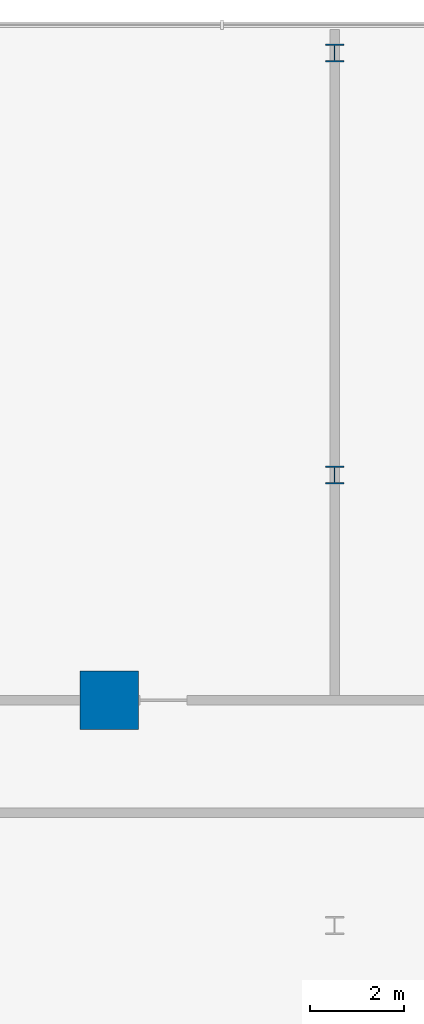
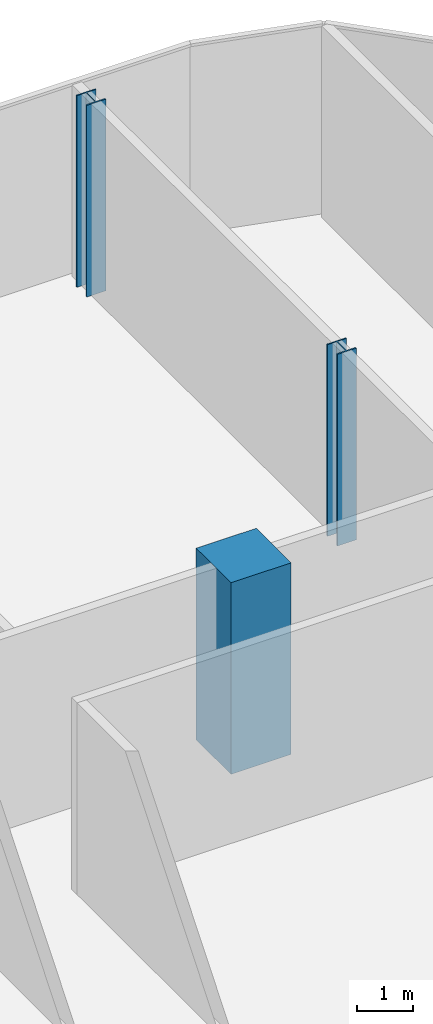
# One storey, part 5 of 38: 3 columns.
"""IFC4 building model written with IfcOpenShell, lengths in metres."""

from ifc_helpers import new_model, si_unit, direction, frame, origin, origin_2d, place, context, subcontext, project, spatial, rectangle, i_section, extrude, material, material_profile, profile_set, type_object, element, save


model = new_model("IFC4")

# Units and contexts
model_context = context("Model", 3, precision=1e-05, world=origin(), true_north=direction((0.0, 1.0)))
body_context = subcontext(model_context, "Body", "Model", "MODEL_VIEW")
ifc_project = project(units=[si_unit("LENGTHUNIT", "METRE"), si_unit("AREAUNIT", "SQUARE_METRE"), si_unit("VOLUMEUNIT", "CUBIC_METRE"), si_unit("PLANEANGLEUNIT", "RADIAN"), si_unit("MASSUNIT", "GRAM", prefix="KILO")], contexts=[model_context])

# Site, building, storey
site_placement = place(None, origin())
site = spatial("IfcSite", under=ifc_project, at=site_placement, CompositionType="ELEMENT")
building_placement = place(site_placement, origin())
building = spatial("IfcBuilding", under=site, at=building_placement, Name="Madar Terraces", CompositionType="ELEMENT")
storey_placement = place(building_placement, frame((0.0, 0.0, 15.0)))
storey = spatial("IfcBuildingStorey", under=building, at=storey_placement, Name="L03", CompositionType="ELEMENT", Elevation=15.0)

# Columns
ifc_material_1 = material(Name="Concrete C80/95", Category="concrete")
ifc_material_profile_1 = material_profile(ifc_material_1, rectangle(XDim=1.25, YDim=1.25, at=origin_2d()), Name="KC1 RC 1250x1250")
ifc_profile_set_1 = profile_set([ifc_material_profile_1], Name="Concrete C80/95")
column_type_1 = type_object("IfcColumnType", Name="KC1 RC 1250x1250", PredefinedType="COLUMN", material=ifc_profile_set_1)
column_placement = place(storey_placement, frame((57.60009765625, 43.199951171875, 0.0), z_axis=(0.0, 0.0, 1.0), x_axis=(1.0, 0.0, 0.0)))
element("IfcColumn", 1, at=column_placement, inside=storey, type_object=column_type_1, Name="Perimeter column E5", PredefinedType="COLUMN", context=body_context, shape_type="SweptSolid", body=[
    extrude(rectangle(XDim=1.25, YDim=1.25, at=origin_2d()), origin(), (0.0, 0.0, 1.0), 4.199951171875),
])
ifc_material_2 = material(Name="Steel ASTM A992 Grade 50", Category="steel")
ifc_material_profile_2 = material_profile(ifc_material_2, i_section(OverallWidth=0.396240234375, OverallDepth=0.381103515625, WebThickness=0.01904296875, FlangeThickness=0.0302734375, at=origin_2d()), Name="W14x159")
ifc_profile_set_2 = profile_set([ifc_material_profile_2], Name="Steel ASTM A992 Grade 50")
column_type_2 = type_object("IfcColumnType", Name="PC2 W14x159", PredefinedType="COLUMN", material=ifc_profile_set_2)
for number, where, z_axis, x_axis, name in (
    (2, (62.39990234375, 48.0, 0.0), (0.0, 0.0, 1.0), (1.0, 0.0, 0.0), "Podium column PC2"),
    (3, (62.39990234375, 57.0, 0.0), (0.0, 0.0, 1.0), (1.0, 0.0, 0.0), "Podium column PC2"),
):
    element("IfcColumn", number, at=place(storey_placement, frame(where, z_axis=z_axis, x_axis=x_axis)), inside=storey, type_object=column_type_2, Name=name, PredefinedType="COLUMN", context=body_context, shape_type="SweptSolid", body=[
        extrude(i_section(OverallWidth=0.396240234375, OverallDepth=0.381103515625, WebThickness=0.01904296875, FlangeThickness=0.0302734375, at=origin_2d()), origin(), (0.0, 0.0, 1.0), 4.199951171875),
    ])

save(model, "model.ifc")
